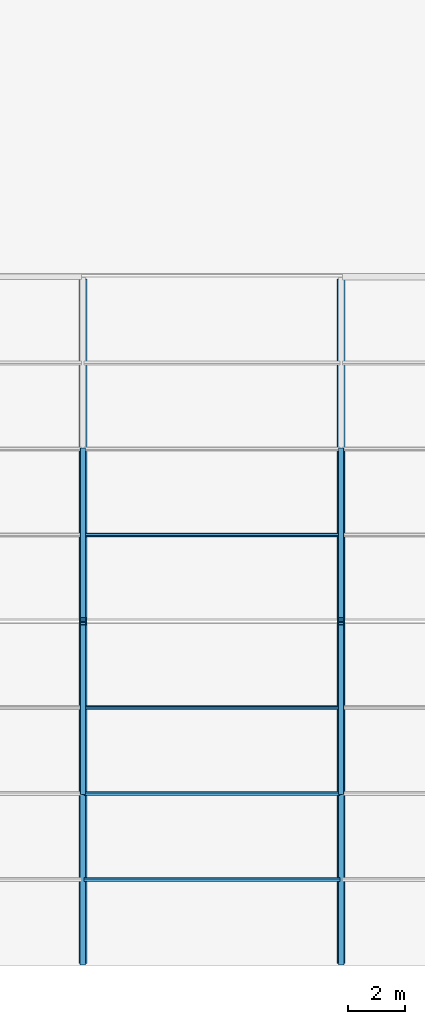
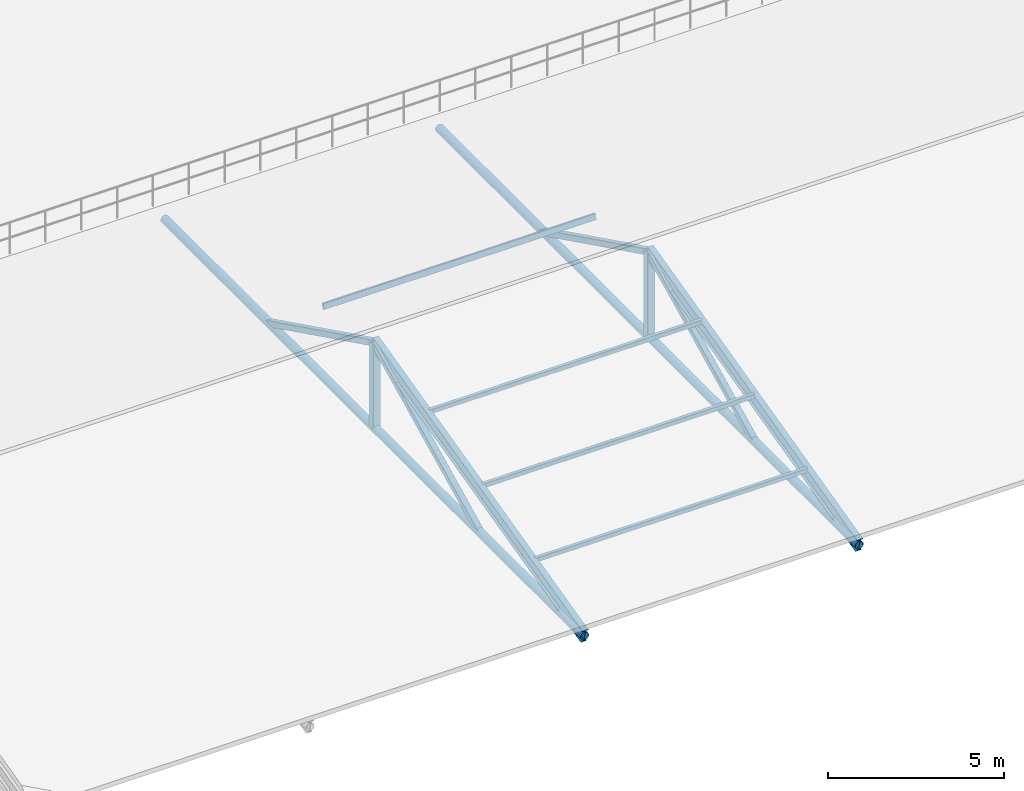
# One storey, part 7 of 54: 12 members, 2 beams.
"""IFC4 building model written with IfcOpenShell, lengths in metres."""

from ifc_helpers import new_model, si_unit, direction, frame, origin, origin_2d, place, context, subcontext, project, spatial, hollow_rectangle, hollow_circle, i_section, extrude, material, material_profile, profile_set, type_object, element, save


model = new_model("IFC4")

# Units and contexts
model_context = context("Model", 3, precision=1e-05, world=origin(), true_north=direction((0.0, 1.0)))
body_context = subcontext(model_context, "Body", "Model", "MODEL_VIEW")
ifc_project = project(units=[si_unit("LENGTHUNIT", "METRE"), si_unit("AREAUNIT", "SQUARE_METRE"), si_unit("VOLUMEUNIT", "CUBIC_METRE"), si_unit("PLANEANGLEUNIT", "RADIAN"), si_unit("MASSUNIT", "GRAM", prefix="KILO")], contexts=[model_context])

# Site, building, storey
site_placement = place(None, origin())
site = spatial("IfcSite", under=ifc_project, at=site_placement, CompositionType="ELEMENT")
building_placement = place(site_placement, origin())
building = spatial("IfcBuilding", under=site, at=building_placement, Name="Marnock Terrace Opera House", CompositionType="ELEMENT")
storey_placement = place(building_placement, frame((0.0, 0.0, 19.199951171875)))
storey = spatial("IfcBuildingStorey", under=building, at=storey_placement, Name="L04", CompositionType="ELEMENT", Elevation=19.199951171875)

# Beams
ifc_material_1 = material(Name="Steel Grade 350 (AS/NZS 3679.1)", Category="steel")
ifc_material_profile_1 = material_profile(ifc_material_1, i_section(OverallWidth=0.19091796875, OverallDepth=0.46044921875, WebThickness=0.010009765625, FlangeThickness=0.01611328125, FilletRadius=0.011474609375, at=origin_2d()))
ifc_profile_set_1 = profile_set([ifc_material_profile_1], Name="Steel Grade 350 (AS/NZS 3679.1)")
beam_type = type_object("IfcBeamType", Name="BM-GIRD-460A", PredefinedType="BEAM", material=ifc_profile_set_1)
for number, where, z_axis, x_axis, name in (
    (1, (18.0, 8.080078125, -0.435546875), (0.0, 0.970520166592, 0.241019929132), (-1.0, 0.0, 0.0), "Rehearsal Wing south pitched rafter"),
    (2, (27.0, 8.080078125, -0.435546875), (0.0, 0.970520166592, 0.241019929132), (-1.0, 0.0, 0.0), "Rehearsal Wing south pitched rafter"),
):
    element("IfcBeam", number, at=place(storey_placement, frame(where, z_axis=z_axis, x_axis=x_axis)), inside=storey, type_object=beam_type, Name=name, PredefinedType="BEAM", context=body_context, shape_type="SweptSolid", body=[
        extrude(i_section(OverallWidth=0.19091796875, OverallDepth=0.46044921875, WebThickness=0.010009765625, FlangeThickness=0.01611328125, FilletRadius=0.011474609375, at=origin_2d()), origin(), (0.0, 0.0, 1.0), 12.281982421875),
    ])

# Members
ifc_material_2 = material(Name="Cold-formed Steel Grade C350L0 (AS/NZS 1163)", Category="steel")
ifc_material_profile_2 = material_profile(ifc_material_2, hollow_rectangle(XDim=0.10009765625, YDim=0.199951171875, WallThickness=0.008056640625, InnerFilletRadius=0.008056640625, OuterFilletRadius=0.01611328125, at=origin_2d()))
ifc_profile_set_2 = profile_set([ifc_material_profile_2], Name="Cold-formed Steel Grade C350L0 (AS/NZS 1163)")
member_type_1 = type_object("IfcMemberType", Name="MEM-ROOF-PURL", PredefinedType="PURLIN", material=ifc_profile_set_2)
for number, where, z_axis, x_axis, name in (
    (3, (18.0400390625, 11.0, 0.428466796875), (1.0, 0.0, 0.0), (0.0, 0.970142684147, 0.242534889029), "Rehearsal Wing roof purlin Y=11 bay 3"),
    (4, (18.0400390625, 14.0, 1.178466796875), (1.0, 0.0, 0.0), (0.0, 0.970142684147, 0.242534889029), "Rehearsal Wing roof purlin Y=14 bay 3"),
    (5, (18.0400390625, 17.0, 1.928466796875), (1.0, 0.0, 0.0), (0.0, 0.970142684147, 0.242534889029), "Rehearsal Wing roof purlin Y=17 bay 3"),
    (6, (18.0400390625, 23.0, 1.928466796875), (1.0, 0.0, 0.0), (0.0, 0.970142684147, -0.242534889029), "Rehearsal Wing roof purlin Y=23 bay 3"),
):
    element("IfcMember", number, at=place(storey_placement, frame(where, z_axis=z_axis, x_axis=x_axis)), inside=storey, type_object=member_type_1, Name=name, PredefinedType="PURLIN", context=body_context, shape_type="SweptSolid", body=[
        extrude(hollow_rectangle(XDim=0.10009765625, YDim=0.199951171875, WallThickness=0.008056640625, InnerFilletRadius=0.008056640625, OuterFilletRadius=0.01611328125, at=origin_2d()), origin(), (0.0, 0.0, 1.0), 8.919921875),
    ])
ifc_material_profile_3 = material_profile(ifc_material_2, hollow_rectangle(XDim=0.25, YDim=0.25, WallThickness=0.010009765625, InnerFilletRadius=0.010009765625, OuterFilletRadius=0.02001953125, at=origin_2d()))
ifc_profile_set_3 = profile_set([ifc_material_profile_3], Name="Cold-formed Steel Grade C350L0 (AS/NZS 1163)")
member_type_2 = type_object("IfcMemberType", Name="MEM-TRUSS-WEB1", PredefinedType="STRUT", material=ifc_profile_set_3)
for number, where, z_axis, x_axis, name in (
    (7, (18.0, 20.0, -0.435546875), (0.0, 0.0, 1.0), (1.0, 0.0, 0.0), "Rehearsal Wing roof truss king post"),
    (8, (27.0, 20.0, -0.435546875), (0.0, 0.0, 1.0), (1.0, 0.0, 0.0), "Rehearsal Wing roof truss king post"),
):
    element("IfcMember", number, at=place(storey_placement, frame(where, z_axis=z_axis, x_axis=x_axis)), inside=storey, type_object=member_type_2, Name=name, PredefinedType="STRUT", context=body_context, shape_type="SweptSolid", body=[
        extrude(hollow_rectangle(XDim=0.25, YDim=0.25, WallThickness=0.010009765625, InnerFilletRadius=0.010009765625, OuterFilletRadius=0.02001953125, at=origin_2d()), origin(), (0.0, 0.0, 1.0), 2.960205078125),
    ])
ifc_material_profile_4 = material_profile(ifc_material_2, hollow_rectangle(XDim=0.199951171875, YDim=0.199951171875, WallThickness=0.009033203125, InnerFilletRadius=0.009033203125, OuterFilletRadius=0.01806640625, at=origin_2d()))
ifc_profile_set_4 = profile_set([ifc_material_profile_4], Name="Cold-formed Steel Grade C350L0 (AS/NZS 1163)")
member_type_3 = type_object("IfcMemberType", Name="MEM-TRUSS-WEB2", PredefinedType="BRACE", material=ifc_profile_set_4)
for number, where, z_axis, x_axis, name in (
    (9, (18.0, 14.0, -0.435546875), (0.0, 0.896793722632, 0.442448888628), (-1.0, 0.0, 0.0), "Rehearsal Wing roof truss diagonal S"),
    (10, (18.0, 26.0, -0.435546875), (0.0, -0.896793722632, 0.442448888628), (1.0, 0.0, 0.0), "Rehearsal Wing roof truss diagonal N"),
    (11, (27.0, 14.0, -0.435546875), (0.0, 0.896793722632, 0.442448888628), (-1.0, 0.0, 0.0), "Rehearsal Wing roof truss diagonal S"),
    (12, (27.0, 26.0, -0.435546875), (0.0, -0.896793722632, 0.442448888628), (1.0, 0.0, 0.0), "Rehearsal Wing roof truss diagonal N"),
):
    element("IfcMember", number, at=place(storey_placement, frame(where, z_axis=z_axis, x_axis=x_axis)), inside=storey, type_object=member_type_3, Name=name, PredefinedType="BRACE", context=body_context, shape_type="SweptSolid", body=[
        extrude(hollow_rectangle(XDim=0.199951171875, YDim=0.199951171875, WallThickness=0.009033203125, InnerFilletRadius=0.009033203125, OuterFilletRadius=0.01806640625, at=origin_2d()), origin(), (0.0, 0.0, 1.0), 6.6904296875),
    ])
ifc_material_profile_5 = material_profile(ifc_material_2, hollow_circle(Radius=0.136474609375, WallThickness=0.00927734375, at=origin_2d()))
ifc_profile_set_5 = profile_set([ifc_material_profile_5], Name="Cold-formed Steel Grade C350L0 (AS/NZS 1163)")
member_type_4 = type_object("IfcMemberType", Name="MEM-VAULT-TIE", PredefinedType="COLLAR", material=ifc_profile_set_5)
for number, where, z_axis, x_axis, name in (
    (13, (18.0, 8.080078125, -0.435546875), (0.0, 1.0, 0.0), (-1.0, 0.0, 0.0), "Rehearsal Wing roof truss tie chord"),
    (14, (27.0, 8.080078125, -0.435546875), (0.0, 1.0, 0.0), (-1.0, 0.0, 0.0), "Rehearsal Wing roof truss tie chord"),
):
    element("IfcMember", number, at=place(storey_placement, frame(where, z_axis=z_axis, x_axis=x_axis)), inside=storey, type_object=member_type_4, Name=name, PredefinedType="COLLAR", context=body_context, shape_type="SweptSolid", body=[
        extrude(hollow_circle(Radius=0.136474609375, WallThickness=0.00927734375, at=origin_2d()), origin(), (0.0, 0.0, 1.0), 23.83984375),
    ])

save(model, "model.ifc")
